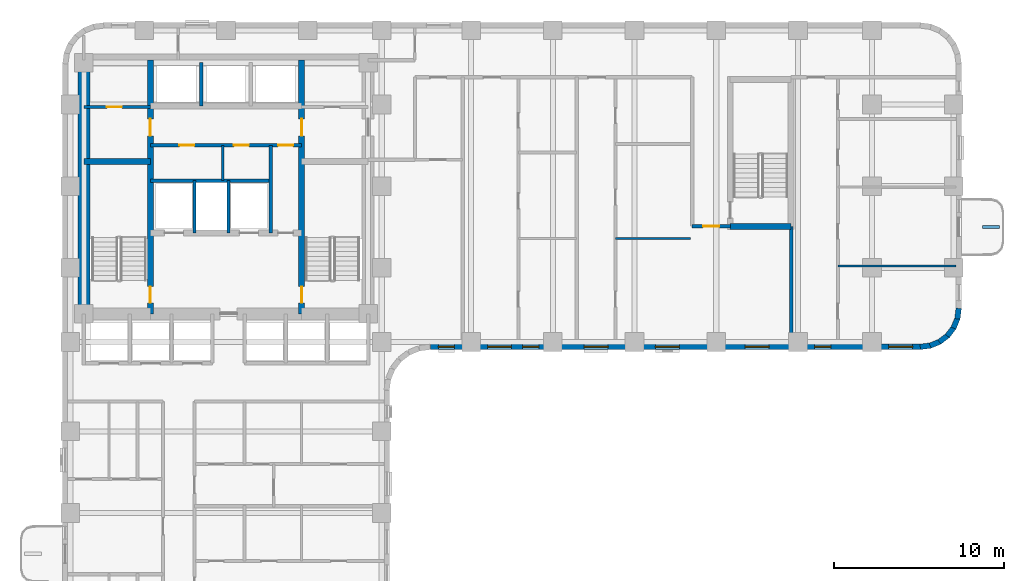
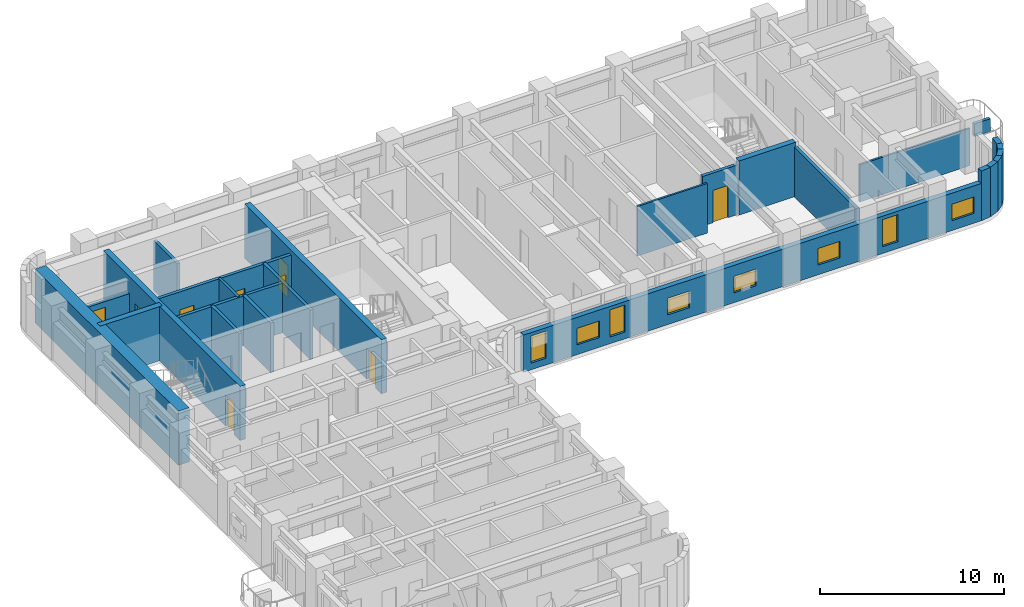
# One storey, part 5 of 11: 25 walls, 9 doors, 8 windows, 17 openings.
"""IFC4 building model written with IfcOpenShell, lengths in metres."""

from ifc_helpers import new_model, si_unit, direction, frame, frame_2d, origin, place, context, subcontext, project, spatial, rectangle, extrude, material, layer, layer_set, type_object, element, fill, save


model = new_model("IFC4")

# Units and contexts
model_context = context("Model", 3, precision=1e-05, world=origin(), true_north=direction((0.0, 1.0)))
body_context = subcontext(model_context, "Body", "Model", "MODEL_VIEW")
ifc_project = project(units=[si_unit("LENGTHUNIT", "METRE"), si_unit("AREAUNIT", "SQUARE_METRE"), si_unit("VOLUMEUNIT", "CUBIC_METRE"), si_unit("PLANEANGLEUNIT", "RADIAN"), si_unit("MASSUNIT", "GRAM", prefix="KILO")], contexts=[model_context])

# Site, building, storey
site_placement = place(None, origin())
site = spatial("IfcSite", under=ifc_project, at=site_placement, CompositionType="ELEMENT")
building_placement = place(site_placement, origin())
building = spatial("IfcBuilding", under=site, at=building_placement, Name="Orvandelia Arch Residences", CompositionType="ELEMENT")
storey_placement = place(building_placement, frame((0.0, 0.0, 93.39990234375)))
storey = spatial("IfcBuildingStorey", under=building, at=storey_placement, Name="L24", CompositionType="ELEMENT", Elevation=93.39990234375)

# Wall, openings, doors
ifc_material_1 = material(Name="Concrete C50/60", Category="concrete")
ifc_layer_1 = layer(ifc_material_1, 0.35009765625, Name="Concrete C50/60", Category="concrete")
ifc_layer_set_1 = layer_set([ifc_layer_1], Name="Concrete C50/60")
wall_type_1 = type_object("IfcWallType", Name="WL-CORE-350", PredefinedType="SHEAR", material=ifc_layer_set_1)
wall_1_placement = place(storey_placement, frame((9.9599609375, 30.89990234375, 0.0), z_axis=(0.0, 0.0, 1.0), x_axis=(0.0, 1.0, 0.0)))
wall_1 = element("IfcWall", 1, at=wall_1_placement, inside=storey, type_object=wall_type_1, Name="Core Shear Wall L24-WEB1", PredefinedType="SHEAR", context=body_context, shape_type="SweptSolid", body=[
    extrude(rectangle(XDim=14.900146484375, YDim=0.35009765625, at=frame_2d((7.4501953125, 0.0))), origin(), (0.0, 0.0, 1.0), 3.60009765625),
])
opening_1_placement = place(wall_1_placement, frame((0.64990234375, 0.0, 0.0)))
opening_1 = element("IfcOpeningElement", 2, at=opening_1_placement, cuts=wall_1, Name="Opening D7", PredefinedType="OPENING", context=body_context, shape_type="SweptSolid", body=[
    extrude(rectangle(XDim=0.949951171875, YDim=2.10009765625, at=frame_2d((0.47509765625, 1.050048828125))), frame((0.0, 0.18505859375, 0.0), z_axis=(0.0, -1.0, 0.0), x_axis=(1.0, 0.0, 0.0)), (0.0, 0.0, 1.0), 0.3701171875),
])
opening_2_placement = place(wall_1_placement, frame((10.449951171875, 0.0, 0.0)))
opening_2 = element("IfcOpeningElement", 3, at=opening_2_placement, cuts=wall_1, Name="Opening D6", PredefinedType="OPENING", context=body_context, shape_type="SweptSolid", body=[
    extrude(rectangle(XDim=1.0, YDim=2.14990234375, at=frame_2d((0.5, 1.074951171875))), frame((0.0, 0.18505859375, 0.0), z_axis=(0.0, -1.0, 0.0), x_axis=(1.0, 0.0, 0.0)), (0.0, 0.0, 1.0), 0.3701171875),
])
ifc_material_2 = material(Name="Smokeproof Painted Steel Fire Door", Category="steel")
door_type_1 = type_object("IfcDoorType", Name="DR-FD60-1000", OperationType="NOTDEFINED", PredefinedType="DOOR", material=ifc_material_2)
door_1_placement = place(opening_2_placement, origin())
door_1 = element("IfcDoor", 4, at=door_1_placement, inside=storey, type_object=door_type_1, Name="High-Rise Lift Hall West Vestibule Door L24", OperationType="SINGLE_SWING_LEFT", OverallHeight=2.14990234375, OverallWidth=1.0, PredefinedType="DOOR", context=body_context, shape_type="SweptSolid", body=[
    extrude(rectangle(XDim=1.0, YDim=2.14990234375, at=frame_2d((0.5, 1.074951171875))), frame((0.0, 0.02490234375, 0.0), z_axis=(0.0, -1.0, 0.0), x_axis=(1.0, 0.0, 0.0)), (0.0, 0.0, 1.0), 0.050048828125),
])
fill(opening_2, door_1)
ifc_material_3 = material(Name="Pressurised Stairwell Fire Door")
door_type_2 = type_object("IfcDoorType", Name="DR-STAIR-950", OperationType="NOTDEFINED", PredefinedType="DOOR", material=ifc_material_3)
door_2_placement = place(opening_1_placement, origin())
door_2 = element("IfcDoor", 5, at=door_2_placement, inside=storey, type_object=door_type_2, Name="Stairwell ST-1 Fire Door L24", OperationType="SINGLE_SWING_LEFT", OverallHeight=2.10009765625, OverallWidth=0.949951171875, PredefinedType="DOOR", context=body_context, shape_type="SweptSolid", body=[
    extrude(rectangle(XDim=0.949951171875, YDim=2.10009765625, at=frame_2d((0.47509765625, 1.050048828125))), frame((0.0, 0.02490234375, 0.0), z_axis=(0.0, -1.0, 0.0), x_axis=(1.0, 0.0, 0.0)), (0.0, 0.0, 1.0), 0.050048828125),
])
fill(opening_1, door_2)

wall_2_placement = place(storey_placement, frame((18.840087890625, 30.89990234375, 0.0), z_axis=(0.0, 0.0, 1.0), x_axis=(0.0, 1.0, 0.0)))
wall_2 = element("IfcWall", 6, at=wall_2_placement, inside=storey, type_object=wall_type_1, Name="Core Shear Wall L24-WEB2", PredefinedType="SHEAR", context=body_context, shape_type="SweptSolid", body=[
    extrude(rectangle(XDim=14.900146484375, YDim=0.35009765625, at=frame_2d((7.4501953125, 0.0))), origin(), (0.0, 0.0, 1.0), 3.60009765625),
])
opening_3_placement = place(wall_2_placement, frame((0.64990234375, 0.0, 0.0)))
opening_3 = element("IfcOpeningElement", 7, at=opening_3_placement, cuts=wall_2, Name="Opening D7", PredefinedType="OPENING", context=body_context, shape_type="SweptSolid", body=[
    extrude(rectangle(XDim=0.949951171875, YDim=2.10009765625, at=frame_2d((0.47509765625, 1.050048828125))), frame((0.0, 0.18505859375, 0.0), z_axis=(0.0, -1.0, 0.0), x_axis=(1.0, 0.0, 0.0)), (0.0, 0.0, 1.0), 0.3701171875),
])
opening_4_placement = place(wall_2_placement, frame((10.449951171875, 0.0, 0.0)))
opening_4 = element("IfcOpeningElement", 8, at=opening_4_placement, cuts=wall_2, Name="Opening D6", PredefinedType="OPENING", context=body_context, shape_type="SweptSolid", body=[
    extrude(rectangle(XDim=1.0, YDim=2.14990234375, at=frame_2d((0.5, 1.074951171875))), frame((0.0, 0.18505859375, 0.0), z_axis=(0.0, -1.0, 0.0), x_axis=(1.0, 0.0, 0.0)), (0.0, 0.0, 1.0), 0.3701171875),
])
door_3_placement = place(opening_4_placement, origin())
door_3 = element("IfcDoor", 9, at=door_3_placement, inside=storey, type_object=door_type_1, Name="High-Rise Lift Hall East Vestibule Door L24", OperationType="SINGLE_SWING_RIGHT", OverallHeight=2.14990234375, OverallWidth=1.0, PredefinedType="DOOR", context=body_context, shape_type="SweptSolid", body=[
    extrude(rectangle(XDim=1.0, YDim=2.14990234375, at=frame_2d((0.5, 1.074951171875))), frame((0.0, 0.02490234375, 0.0), z_axis=(0.0, -1.0, 0.0), x_axis=(1.0, 0.0, 0.0)), (0.0, 0.0, 1.0), 0.050048828125),
])
fill(opening_4, door_3)
door_4_placement = place(opening_3_placement, origin())
door_4 = element("IfcDoor", 10, at=door_4_placement, inside=storey, type_object=door_type_2, Name="Stairwell ST-2 Fire Door L24", OperationType="SINGLE_SWING_RIGHT", OverallHeight=2.10009765625, OverallWidth=0.949951171875, PredefinedType="DOOR", context=body_context, shape_type="SweptSolid", body=[
    extrude(rectangle(XDim=0.949951171875, YDim=2.10009765625, at=frame_2d((0.47509765625, 1.050048828125))), frame((0.0, 0.02490234375, 0.0), z_axis=(0.0, -1.0, 0.0), x_axis=(1.0, 0.0, 0.0)), (0.0, 0.0, 1.0), 0.050048828125),
])
fill(opening_3, door_4)

# Walls
wall_3_placement = place(storey_placement, frame((6.050048828125, 39.85009765625, 0.0), z_axis=(0.0, 0.0, 1.0), x_axis=(1.0, 0.0, 0.0)))
element("IfcWall", 11, at=wall_3_placement, inside=storey, type_object=wall_type_1, Name="Core Shear Wall L24-HZ1", PredefinedType="SHEAR", context=body_context, shape_type="SweptSolid", body=[
    extrude(rectangle(XDim=3.909912109375, YDim=0.35009765625, at=frame_2d((1.955078125, 0.0))), origin(), (0.0, 0.0, 1.0), 3.60009765625),
])
wall_4_placement = place(storey_placement, frame((44.02001953125, 36.0400390625, 0.0), z_axis=(0.0, 0.0, 1.0), x_axis=(1.0, 0.0, 0.0)))
element("IfcWall", 12, at=wall_4_placement, inside=storey, type_object=wall_type_1, Name="East Stair Core Shear Wall L24-S", PredefinedType="SHEAR", context=body_context, shape_type="SweptSolid", body=[
    extrude(rectangle(XDim=3.580078125, YDim=0.35009765625, at=frame_2d((1.7900390625, 0.0))), origin(), (0.0, 0.0, 1.0), 3.60009765625),
])
ifc_material_4 = material(Name="Concrete C80/95", Category="concrete")
ifc_layer_2 = layer(ifc_material_4, 0.699951171875, Name="Concrete C80/95", Category="concrete")
ifc_layer_set_2 = layer_set([ifc_layer_2], Name="Concrete C80/95")
wall_type_2 = type_object("IfcWallType", Name="WL-CORE-700", PredefinedType="SHEAR", material=ifc_layer_set_2)
wall_5_placement = place(storey_placement, frame((6.050048828125, 30.550048828125, 0.0), z_axis=(0.0, 0.0, 1.0), x_axis=(0.0, 1.0, 0.0)))
element("IfcWall", 13, at=wall_5_placement, inside=storey, type_object=wall_type_2, Name="Core Shear Wall L24-W", PredefinedType="SHEAR", context=body_context, shape_type="SweptSolid", body=[
    extrude(rectangle(XDim=15.599853515625, YDim=0.699951171875, at=frame_2d((7.7998046875, 0.0))), origin(), (0.0, 0.0, 1.0), 3.60009765625),
])

# Wall, opening, door
ifc_material_5 = material(Name="Fire-Rated Corridor Partition")
ifc_layer_3 = layer(ifc_material_5, 0.199951171875, Name="Fire-Rated Corridor Partition")
ifc_layer_set_3 = layer_set([ifc_layer_3], Name="Fire-Rated Corridor Partition")
wall_type_3 = type_object("IfcWallType", Name="WL-CORR-200", PredefinedType="PARTITIONING", material=ifc_layer_set_3)
wall_6_placement = place(storey_placement, frame((41.780029296875, 36.050048828125, 0.0), z_axis=(0.0, 0.0, 1.0), x_axis=(1.0, 0.0, 0.0)))
wall_6 = element("IfcWall", 14, at=wall_6_placement, inside=storey, type_object=wall_type_3, Name="Interior Partition Wall WL-L24-EN2-SS", PredefinedType="PARTITIONING", context=body_context, shape_type="SweptSolid", body=[
    extrude(rectangle(XDim=2.239990234375, YDim=0.199951171875, at=frame_2d((1.1201171875, 0.0))), origin(), (0.0, 0.0, 1.0), 3.300048828125),
])
opening_5_placement = place(wall_6_placement, frame((0.64990234375, 0.0, 0.0)))
opening_5 = element("IfcOpeningElement", 15, at=opening_5_placement, cuts=wall_6, Name="Opening D2", PredefinedType="OPENING", context=body_context, shape_type="SweptSolid", body=[
    extrude(rectangle(XDim=0.949951171875, YDim=2.14990234375, at=frame_2d((0.47509765625, 1.074951171875))), frame((0.0, 0.10986328125, 0.0), z_axis=(0.0, -1.0, 0.0), x_axis=(1.0, 0.0, 0.0)), (0.0, 0.0, 1.0), 0.219970703125),
])
ifc_material_6 = material(Name="Solid-Core Timber Interior Fire Door", Category="wood")
door_type_3 = type_object("IfcDoorType", Name="DR-APT-950", OperationType="NOTDEFINED", PredefinedType="DOOR", material=ifc_material_6)
door_5_placement = place(opening_5_placement, origin())
door_5 = element("IfcDoor", 16, at=door_5_placement, inside=storey, type_object=door_type_3, Name="DR-L24-EN2SLN", OperationType="SINGLE_SWING_LEFT", OverallHeight=2.14990234375, OverallWidth=0.949951171875, PredefinedType="DOOR", context=body_context, shape_type="SweptSolid", body=[
    extrude(rectangle(XDim=0.949951171875, YDim=2.14990234375, at=frame_2d((0.47509765625, 1.074951171875))), frame((0.0, 0.02490234375, 0.0), z_axis=(0.0, -1.0, 0.0), x_axis=(1.0, 0.0, 0.0)), (0.0, 0.0, 1.0), 0.050048828125),
])
fill(opening_5, door_5)

# Walls
ifc_material_7 = material(Name="Concrete C40/50", Category="concrete")
ifc_layer_4 = layer(ifc_material_7, 0.199951171875, Name="Concrete C40/50", Category="concrete")
ifc_layer_set_4 = layer_set([ifc_layer_4], Name="Concrete C40/50")
wall_type_4 = type_object("IfcWallType", Name="WL-DEM-200", PredefinedType="SOLIDWALL", material=ifc_layer_set_4)
wall_7_placement = place(storey_placement, frame((47.60009765625, 29.1201171875, 0.0), z_axis=(0.0, 0.0, 1.0), x_axis=(0.0, 1.0, 0.0)))
element("IfcWall", 17, at=wall_7_placement, inside=storey, type_object=wall_type_4, Name="Interior Partition Wall WL-L24-EN2-SLE", PredefinedType="SOLIDWALL", context=body_context, shape_type="SweptSolid", body=[
    extrude(rectangle(XDim=6.919921875, YDim=0.199951171875, at=frame_2d((3.4599609375, 0.0))), origin(), (0.0, 0.0, 1.0), 3.300048828125),
])
ifc_material_8 = material(Name="Precast concrete C40/50", Category="concrete")
ifc_layer_5 = layer(ifc_material_8, 0.320068359375, Name="Precast concrete C40/50", Category="concrete")
ifc_layer_set_5 = layer_set([ifc_layer_5], Name="Precast concrete C40/50")
wall_type_5 = type_object("IfcWallType", Name="WL-EXT-STONE-320", PredefinedType="STANDARD", material=ifc_layer_set_5)
wall_8_placement = place(storey_placement, frame((57.44140625, 31.220947265625, 0.0), z_axis=(0.0, 0.0, 1.0), x_axis=(-0.130504898859, -0.991447664465, 0.0)))
element("IfcWall", 18, at=wall_8_placement, inside=storey, type_object=wall_type_5, Name="Coral-Limestone Precast Facade Wall L24-015", PredefinedType="STANDARD", context=body_context, shape_type="SweptSolid", body=[
    extrude(rectangle(XDim=0.626708984375, YDim=0.320068359375, at=frame_2d((0.3134765625, 0.0))), origin(), (0.0, 0.0, 1.0), 3.300048828125),
])
wall_9_placement = place(storey_placement, frame((57.370361328125, 30.639892578125, 0.0), z_axis=(0.0, 0.0, 1.0), x_axis=(-0.382787856107, -0.923836271867, 0.0)))
element("IfcWall", 19, at=wall_9_placement, inside=storey, type_object=wall_type_5, Name="Coral-Limestone Precast Facade Wall L24-016", PredefinedType="STANDARD", context=body_context, shape_type="SweptSolid", body=[
    extrude(rectangle(XDim=0.626220703125, YDim=0.320068359375, at=frame_2d((0.31298828125, 0.0))), origin(), (0.0, 0.0, 1.0), 3.300048828125),
])
wall_10_placement = place(storey_placement, frame((57.151611328125, 30.097412109375, 0.0), z_axis=(0.0, 0.0, 1.0), x_axis=(-0.608693302629, -0.793405610854, 0.0)))
element("IfcWall", 20, at=wall_10_placement, inside=storey, type_object=wall_type_5, Name="Coral-Limestone Precast Facade Wall L24-017", PredefinedType="STANDARD", context=body_context, shape_type="SweptSolid", body=[
    extrude(rectangle(XDim=0.62646484375, YDim=0.320068359375, at=frame_2d((0.313232421875, 0.0))), origin(), (0.0, 0.0, 1.0), 3.300048828125),
])
wall_11_placement = place(storey_placement, frame((56.7998046875, 29.6298828125, 0.0), z_axis=(0.0, 0.0, 1.0), x_axis=(-0.793361818833, -0.608750379399, 0.0)))
element("IfcWall", 21, at=wall_11_placement, inside=storey, type_object=wall_type_5, Name="Coral-Limestone Precast Facade Wall L24-018", PredefinedType="STANDARD", context=body_context, shape_type="SweptSolid", body=[
    extrude(rectangle(XDim=0.626953125, YDim=0.320068359375, at=frame_2d((0.3134765625, 0.0))), origin(), (0.0, 0.0, 1.0), 3.300048828125),
])
for number, where, z_axis, x_axis, name in (
    (22, (56.3388671875, 29.269287109375, 0.0), (0.0, 0.0, 1.0), (-0.92389335771, -0.382650053678, 0.0), "Coral-Limestone Precast Facade Wall L24-019"),
    (23, (55.80029296875, 29.040283203125, 0.0), (0.0, 0.0, 1.0), (-0.9914410257, -0.130555323746, 0.0), "Coral-Limestone Precast Facade Wall L24-020"),
):
    element("IfcWall", number, at=place(storey_placement, frame(where, z_axis=z_axis, x_axis=x_axis)), inside=storey, type_object=wall_type_5, Name=name, PredefinedType="STANDARD", context=body_context, shape_type="SweptSolid", body=[
        extrude(rectangle(XDim=0.62646484375, YDim=0.320068359375, at=frame_2d((0.313232421875, 0.0))), origin(), (0.0, 0.0, 1.0), 3.300048828125),
    ])

# Wall, openings, windows
wall_12_placement = place(storey_placement, frame((55.199951171875, 28.9599609375, 0.0), z_axis=(0.0, 0.0, 1.0), x_axis=(-1.0, 0.0, 0.0)))
wall_12 = element("IfcWall", 24, at=wall_12_placement, inside=storey, type_object=wall_type_5, Name="Coral-Limestone Precast Facade Wall L24-021", PredefinedType="STANDARD", context=body_context, shape_type="SweptSolid", body=[
    extrude(rectangle(XDim=28.800048828125, YDim=0.320068359375, at=frame_2d((14.39990234375, 0.0))), origin(), (0.0, 0.0, 1.0), 2.47998046875),
])
opening_6_placement = place(wall_12_placement, frame((22.424560546875, 0.0, 0.449951171875)))
opening_6 = element("IfcOpeningElement", 25, at=opening_6_placement, cuts=wall_12, Name="Opening W4", PredefinedType="OPENING", context=body_context, shape_type="SweptSolid", body=[
    extrude(rectangle(XDim=0.949951171875, YDim=1.800048828125, at=frame_2d((0.47509765625, 0.89990234375))), frame((0.0, 0.169921875, 0.0), z_axis=(0.0, -1.0, 0.0), x_axis=(1.0, 0.0, 0.0)), (0.0, 0.0, 1.0), 0.340087890625),
])
opening_7_placement = place(wall_12_placement, frame((14.175048828125, 0.0, 0.64990234375)))
opening_7 = element("IfcOpeningElement", 26, at=opening_7_placement, cuts=wall_12, Name="Opening W10", PredefinedType="OPENING", context=body_context, shape_type="SweptSolid", body=[
    extrude(rectangle(XDim=1.39990234375, YDim=1.10009765625, at=frame_2d((0.699951171875, 0.550048828125))), frame((0.0, 0.169921875, 0.0), z_axis=(0.0, -1.0, 0.0), x_axis=(1.0, 0.0, 0.0)), (0.0, 0.0, 1.0), 0.340087890625),
])
opening_8_placement = place(wall_12_placement, frame((0.469970703125, 0.0, 0.64990234375)))
opening_8 = element("IfcOpeningElement", 27, at=opening_8_placement, cuts=wall_12, Name="Opening W10", PredefinedType="OPENING", context=body_context, shape_type="SweptSolid", body=[
    extrude(rectangle(XDim=1.39990234375, YDim=1.10009765625, at=frame_2d((0.699951171875, 0.550048828125))), frame((0.0, 0.169921875, 0.0), z_axis=(0.0, -1.0, 0.0), x_axis=(1.0, 0.0, 0.0)), (0.0, 0.0, 1.0), 0.340087890625),
])
opening_9_placement = place(wall_12_placement, frame((5.2705078125, 0.0, 0.449951171875)))
opening_9 = element("IfcOpeningElement", 28, at=opening_9_placement, cuts=wall_12, Name="Opening W4", PredefinedType="OPENING", context=body_context, shape_type="SweptSolid", body=[
    extrude(rectangle(XDim=0.949951171875, YDim=1.800048828125, at=frame_2d((0.47509765625, 0.89990234375))), frame((0.0, 0.169921875, 0.0), z_axis=(0.0, -1.0, 0.0), x_axis=(1.0, 0.0, 0.0)), (0.0, 0.0, 1.0), 0.340087890625),
])
opening_10_placement = place(wall_12_placement, frame((27.3798828125, 0.0, 0.449951171875)))
opening_10 = element("IfcOpeningElement", 29, at=opening_10_placement, cuts=wall_12, Name="Opening W4", PredefinedType="OPENING", context=body_context, shape_type="SweptSolid", body=[
    extrude(rectangle(XDim=0.949951171875, YDim=1.800048828125, at=frame_2d((0.47509765625, 0.89990234375))), frame((0.0, 0.169921875, 0.0), z_axis=(0.0, -1.0, 0.0), x_axis=(1.0, 0.0, 0.0)), (0.0, 0.0, 1.0), 0.340087890625),
])
opening_11_placement = place(wall_12_placement, frame((8.89990234375, 0.0, 0.64990234375)))
opening_11 = element("IfcOpeningElement", 30, at=opening_11_placement, cuts=wall_12, Name="Opening W10", PredefinedType="OPENING", context=body_context, shape_type="SweptSolid", body=[
    extrude(rectangle(XDim=1.39990234375, YDim=1.10009765625, at=frame_2d((0.699951171875, 0.550048828125))), frame((0.0, 0.169921875, 0.0), z_axis=(0.0, -1.0, 0.0), x_axis=(1.0, 0.0, 0.0)), (0.0, 0.0, 1.0), 0.340087890625),
])
opening_12_placement = place(wall_12_placement, frame((24.029541015625, 0.0, 0.64990234375)))
opening_12 = element("IfcOpeningElement", 31, at=opening_12_placement, cuts=wall_12, Name="Opening W10", PredefinedType="OPENING", context=body_context, shape_type="SweptSolid", body=[
    extrude(rectangle(XDim=1.39990234375, YDim=1.10009765625, at=frame_2d((0.699951171875, 0.550048828125))), frame((0.0, 0.169921875, 0.0), z_axis=(0.0, -1.0, 0.0), x_axis=(1.0, 0.0, 0.0)), (0.0, 0.0, 1.0), 0.340087890625),
])
opening_13_placement = place(wall_12_placement, frame((18.360107421875, 0.0, 0.64990234375)))
opening_13 = element("IfcOpeningElement", 32, at=opening_13_placement, cuts=wall_12, Name="Opening W10", PredefinedType="OPENING", context=body_context, shape_type="SweptSolid", body=[
    extrude(rectangle(XDim=1.39990234375, YDim=1.10009765625, at=frame_2d((0.699951171875, 0.550048828125))), frame((0.0, 0.169921875, 0.0), z_axis=(0.0, -1.0, 0.0), x_axis=(1.0, 0.0, 0.0)), (0.0, 0.0, 1.0), 0.340087890625),
])
ifc_material_9 = material(Name="Tempered Low-E Insulated Glazing", Category="glass")
window_type_1 = type_object("IfcWindowType", Name="WIN-CLR-1400x1100", PartitioningType="SINGLE_PANEL", PredefinedType="WINDOW", material=ifc_material_9)
window_1_placement = place(opening_7_placement, origin())
window_1 = element("IfcWindow", 33, at=window_1_placement, inside=storey, type_object=window_type_1, Name="Recessed Punched Window L24-009", OverallHeight=1.10009765625, OverallWidth=1.39990234375, PartitioningType="SINGLE_PANEL", PredefinedType="WINDOW", context=body_context, shape_type="SweptSolid", body=[
    extrude(rectangle(XDim=1.39990234375, YDim=1.10009765625, at=frame_2d((0.699951171875, 0.550048828125))), frame((0.0, 0.030029296875, 0.0), z_axis=(0.0, -1.0, 0.0), x_axis=(1.0, 0.0, 0.0)), (0.0, 0.0, 1.0), 0.06005859375),
])
fill(opening_7, window_1)
window_2_placement = place(opening_8_placement, origin())
window_2 = element("IfcWindow", 34, at=window_2_placement, inside=storey, type_object=window_type_1, Name="Recessed Punched Window L24-010", OverallHeight=1.10009765625, OverallWidth=1.39990234375, PartitioningType="SINGLE_PANEL", PredefinedType="WINDOW", context=body_context, shape_type="SweptSolid", body=[
    extrude(rectangle(XDim=1.39990234375, YDim=1.10009765625, at=frame_2d((0.699951171875, 0.550048828125))), frame((0.0, 0.030029296875, 0.0), z_axis=(0.0, -1.0, 0.0), x_axis=(1.0, 0.0, 0.0)), (0.0, 0.0, 1.0), 0.06005859375),
])
fill(opening_8, window_2)
window_3_placement = place(opening_11_placement, origin())
window_3 = element("IfcWindow", 35, at=window_3_placement, inside=storey, type_object=window_type_1, Name="Recessed Punched Window L24-013", OverallHeight=1.10009765625, OverallWidth=1.39990234375, PartitioningType="SINGLE_PANEL", PredefinedType="WINDOW", context=body_context, shape_type="SweptSolid", body=[
    extrude(rectangle(XDim=1.39990234375, YDim=1.10009765625, at=frame_2d((0.699951171875, 0.550048828125))), frame((0.0, 0.030029296875, 0.0), z_axis=(0.0, -1.0, 0.0), x_axis=(1.0, 0.0, 0.0)), (0.0, 0.0, 1.0), 0.06005859375),
])
fill(opening_11, window_3)
window_4_placement = place(opening_12_placement, origin())
window_4 = element("IfcWindow", 36, at=window_4_placement, inside=storey, type_object=window_type_1, Name="Recessed Punched Window L24-014", OverallHeight=1.10009765625, OverallWidth=1.39990234375, PartitioningType="SINGLE_PANEL", PredefinedType="WINDOW", context=body_context, shape_type="SweptSolid", body=[
    extrude(rectangle(XDim=1.39990234375, YDim=1.10009765625, at=frame_2d((0.699951171875, 0.550048828125))), frame((0.0, 0.030029296875, 0.0), z_axis=(0.0, -1.0, 0.0), x_axis=(1.0, 0.0, 0.0)), (0.0, 0.0, 1.0), 0.06005859375),
])
fill(opening_12, window_4)
window_5_placement = place(opening_13_placement, origin())
window_5 = element("IfcWindow", 37, at=window_5_placement, inside=storey, type_object=window_type_1, Name="Recessed Punched Window L24-015", OverallHeight=1.10009765625, OverallWidth=1.39990234375, PartitioningType="SINGLE_PANEL", PredefinedType="WINDOW", context=body_context, shape_type="SweptSolid", body=[
    extrude(rectangle(XDim=1.39990234375, YDim=1.10009765625, at=frame_2d((0.699951171875, 0.550048828125))), frame((0.0, 0.030029296875, 0.0), z_axis=(0.0, -1.0, 0.0), x_axis=(1.0, 0.0, 0.0)), (0.0, 0.0, 1.0), 0.06005859375),
])
fill(opening_13, window_5)
window_type_2 = type_object("IfcWindowType", Name="WIN-RES-0950x1800", PartitioningType="SINGLE_PANEL", PredefinedType="WINDOW", material=ifc_material_9)
window_6_placement = place(opening_6_placement, origin())
window_6 = element("IfcWindow", 38, at=window_6_placement, inside=storey, type_object=window_type_2, Name="Recessed Punched Window L24-008", OverallHeight=1.800048828125, OverallWidth=0.949951171875, PartitioningType="SINGLE_PANEL", PredefinedType="WINDOW", context=body_context, shape_type="SweptSolid", body=[
    extrude(rectangle(XDim=0.949951171875, YDim=1.800048828125, at=frame_2d((0.47509765625, 0.89990234375))), frame((0.0, 0.030029296875, 0.0), z_axis=(0.0, -1.0, 0.0), x_axis=(1.0, 0.0, 0.0)), (0.0, 0.0, 1.0), 0.06005859375),
])
fill(opening_6, window_6)
window_7_placement = place(opening_9_placement, origin())
window_7 = element("IfcWindow", 39, at=window_7_placement, inside=storey, type_object=window_type_2, Name="Recessed Punched Window L24-011", OverallHeight=1.800048828125, OverallWidth=0.949951171875, PartitioningType="SINGLE_PANEL", PredefinedType="WINDOW", context=body_context, shape_type="SweptSolid", body=[
    extrude(rectangle(XDim=0.949951171875, YDim=1.800048828125, at=frame_2d((0.47509765625, 0.89990234375))), frame((0.0, 0.030029296875, 0.0), z_axis=(0.0, -1.0, 0.0), x_axis=(1.0, 0.0, 0.0)), (0.0, 0.0, 1.0), 0.06005859375),
])
fill(opening_9, window_7)
window_8_placement = place(opening_10_placement, origin())
window_8 = element("IfcWindow", 40, at=window_8_placement, inside=storey, type_object=window_type_2, Name="Recessed Punched Window L24-012", OverallHeight=1.800048828125, OverallWidth=0.949951171875, PartitioningType="SINGLE_PANEL", PredefinedType="WINDOW", context=body_context, shape_type="SweptSolid", body=[
    extrude(rectangle(XDim=0.949951171875, YDim=1.800048828125, at=frame_2d((0.47509765625, 0.89990234375))), frame((0.0, 0.030029296875, 0.0), z_axis=(0.0, -1.0, 0.0), x_axis=(1.0, 0.0, 0.0)), (0.0, 0.0, 1.0), 0.06005859375),
])
fill(opening_10, window_8)

# Walls
ifc_material_10 = material(Name="Lightweight Gypsum Stud Partition")
ifc_layer_6 = layer(ifc_material_10, 0.1201171875, Name="Lightweight Gypsum Stud Partition")
ifc_layer_set_6 = layer_set([ifc_layer_6], Name="Lightweight Gypsum Stud Partition")
wall_type_6 = type_object("IfcWallType", Name="WL-PART-120", PredefinedType="PARTITIONING", material=ifc_layer_set_6)
wall_13_placement = place(storey_placement, frame((37.280029296875, 35.31591796875, 0.0), z_axis=(0.0, 0.0, 1.0), x_axis=(1.0, 0.0, 0.0)))
element("IfcWall", 41, at=wall_13_placement, inside=storey, type_object=wall_type_6, Name="Interior Partition Wall WL-L24-U07-H1", PredefinedType="PARTITIONING", context=body_context, shape_type="SweptSolid", body=[
    extrude(rectangle(XDim=4.39990234375, YDim=0.1201171875, at=frame_2d((2.199951171875, 0.0))), origin(), (0.0, 0.0, 1.0), 3.300048828125),
])
wall_14_placement = place(storey_placement, frame((50.339111328125, 33.7109375, 0.0), z_axis=(0.0, 0.0, 1.0), x_axis=(1.0, 0.0, 0.0)))
element("IfcWall", 42, at=wall_14_placement, inside=storey, type_object=wall_type_6, Name="Interior Partition Wall WL-L24-U08-H0", PredefinedType="PARTITIONING", context=body_context, shape_type="SweptSolid", body=[
    extrude(rectangle(XDim=6.94091796875, YDim=0.1201171875, at=frame_2d((3.470458984375, 0.0))), origin(), (0.0, 0.0, 1.0), 2.47998046875),
])
ifc_material_11 = material(Name="Acoustic Gypsum Stud Partition")
ifc_layer_7 = layer(ifc_material_11, 0.14990234375, Name="Acoustic Gypsum Stud Partition")
ifc_layer_set_7 = layer_set([ifc_layer_7], Name="Acoustic Gypsum Stud Partition")
wall_type_7 = type_object("IfcWallType", Name="WL-PART-150", PredefinedType="PARTITIONING", material=ifc_layer_set_7)
wall_15_placement = place(storey_placement, frame((14.199951171875, 38.719970703125, 0.0), z_axis=(0.0, 0.0, 1.0), x_axis=(0.0, 1.0, 0.0)))
element("IfcWall", 43, at=wall_15_placement, inside=storey, type_object=wall_type_7, Name="Interior Partition Wall WL-L24-CSA-1", PredefinedType="PARTITIONING", context=body_context, shape_type="SweptSolid", body=[
    extrude(rectangle(XDim=2.080078125, YDim=0.14990234375, at=frame_2d((1.0400390625, 0.0))), origin(), (0.0, 0.0, 1.0), 3.300048828125),
])
ifc_layer_8 = layer(ifc_material_8, 0.199951171875, Name="Precast concrete C40/50", Category="concrete")
ifc_layer_set_8 = layer_set([ifc_layer_8], Name="Precast concrete C40/50")
wall_type_8 = type_object("IfcWallType", Name="WL-PLANTER-200", PredefinedType="MOVABLE", material=ifc_layer_set_8)
wall_16_placement = place(storey_placement, frame((58.85009765625, 36.0, 0.0), z_axis=(0.0, 0.0, 1.0), x_axis=(1.0, 0.0, 0.0)))
element("IfcWall", 44, at=wall_16_placement, inside=storey, type_object=wall_type_8, Name="Balcony Precast Tree Planter BAL-L24-E1", PredefinedType="MOVABLE", context=body_context, shape_type="SweptSolid", body=[
    extrude(rectangle(XDim=1.0, YDim=0.199951171875, at=frame_2d((0.5, 0.0))), origin(), (0.0, 0.0, 1.0), 0.85009765625),
])
ifc_material_12 = material(Name="Fire-Rated Shaft Enclosure Wall")
ifc_layer_9 = layer(ifc_material_12, 0.199951171875, Name="Fire-Rated Shaft Enclosure Wall")
ifc_layer_set_9 = layer_set([ifc_layer_9], Name="Fire-Rated Shaft Enclosure Wall")
wall_type_9 = type_object("IfcWallType", Name="WL-SHAFT-200", PredefinedType="POLYGONAL", material=ifc_layer_set_9)
wall_17_placement = place(storey_placement, frame((9.9599609375, 38.719970703125, 0.0), z_axis=(0.0, 0.0, 1.0), x_axis=(1.0, 0.0, 0.0)))
element("IfcWall", 45, at=wall_17_placement, inside=storey, type_object=wall_type_9, Name="Interior Partition Wall WL-L24-FLN", PredefinedType="POLYGONAL", context=body_context, shape_type="SweptSolid", body=[
    extrude(rectangle(XDim=7.06005859375, YDim=0.199951171875, at=frame_2d((3.530029296875, 0.0))), origin(), (0.0, 0.0, 1.0), 3.300048828125),
])
for number, where, z_axis, x_axis, name in (
    (46, (12.550048828125, 35.64990234375, 0.0), (0.0, 0.0, 1.0), (0.0, 1.0, 0.0), "Interior Partition Wall WL-L24-FLM1"),
    (47, (14.550048828125, 35.64990234375, 0.0), (0.0, 0.0, 1.0), (0.0, 1.0, 0.0), "Interior Partition Wall WL-L24-FLM2"),
):
    element("IfcWall", number, at=place(storey_placement, frame(where, z_axis=z_axis, x_axis=x_axis)), inside=storey, type_object=wall_type_9, Name=name, PredefinedType="POLYGONAL", context=body_context, shape_type="SweptSolid", body=[
        extrude(rectangle(XDim=3.070068359375, YDim=0.199951171875, at=frame_2d((1.53515625, 0.0))), origin(), (0.0, 0.0, 1.0), 3.300048828125),
    ])
wall_18_placement = place(storey_placement, frame((17.02001953125, 35.64990234375, 0.0), z_axis=(0.0, 0.0, 1.0), x_axis=(0.0, 1.0, 0.0)))
element("IfcWall", 48, at=wall_18_placement, inside=storey, type_object=wall_type_9, Name="Interior Partition Wall WL-L24-FLM3", PredefinedType="POLYGONAL", context=body_context, shape_type="SweptSolid", body=[
    extrude(rectangle(XDim=5.150146484375, YDim=0.199951171875, at=frame_2d((2.5751953125, 0.0))), origin(), (0.0, 0.0, 1.0), 3.300048828125),
])

# Wall, openings, doors
wall_19_placement = place(storey_placement, frame((9.9599609375, 40.800048828125, 0.0), z_axis=(0.0, 0.0, 1.0), x_axis=(1.0, 0.0, 0.0)))
wall_19 = element("IfcWall", 49, at=wall_19_placement, inside=storey, type_object=wall_type_9, Name="Interior Partition Wall WL-L24-HLH-S", PredefinedType="POLYGONAL", context=body_context, shape_type="SweptSolid", body=[
    extrude(rectangle(XDim=8.880126953125, YDim=0.199951171875, at=frame_2d((4.43994140625, 0.0))), origin(), (0.0, 0.0, 1.0), 3.300048828125),
])
opening_14_placement = place(wall_19_placement, frame((7.5, 0.0, 0.0)))
opening_14 = element("IfcOpeningElement", 50, at=opening_14_placement, cuts=wall_19, Name="Opening D5", PredefinedType="OPENING", context=body_context, shape_type="SweptSolid", body=[
    extrude(rectangle(XDim=0.8798828125, YDim=2.10009765625, at=frame_2d((0.43994140625, 1.050048828125))), frame((0.0, 0.10986328125, 0.0), z_axis=(0.0, -1.0, 0.0), x_axis=(1.0, 0.0, 0.0)), (0.0, 0.0, 1.0), 0.219970703125),
])
opening_15_placement = place(wall_19_placement, frame((1.699951171875, 0.0, 0.0)))
opening_15 = element("IfcOpeningElement", 51, at=opening_15_placement, cuts=wall_19, Name="Opening D5", PredefinedType="OPENING", context=body_context, shape_type="SweptSolid", body=[
    extrude(rectangle(XDim=0.8798828125, YDim=2.10009765625, at=frame_2d((0.43994140625, 1.050048828125))), frame((0.0, 0.10986328125, 0.0), z_axis=(0.0, -1.0, 0.0), x_axis=(1.0, 0.0, 0.0)), (0.0, 0.0, 1.0), 0.219970703125),
])
opening_16_placement = place(wall_19_placement, frame((4.89990234375, 0.0, 0.0)))
opening_16 = element("IfcOpeningElement", 52, at=opening_16_placement, cuts=wall_19, Name="Opening D5", PredefinedType="OPENING", context=body_context, shape_type="SweptSolid", body=[
    extrude(rectangle(XDim=0.8798828125, YDim=2.10009765625, at=frame_2d((0.43994140625, 1.050048828125))), frame((0.0, 0.10986328125, 0.0), z_axis=(0.0, -1.0, 0.0), x_axis=(1.0, 0.0, 0.0)), (0.0, 0.0, 1.0), 0.219970703125),
])
ifc_material_13 = material(Name="Painted Galvanised Steel Service Door", Category="steel")
door_type_4 = type_object("IfcDoorType", Name="DR-SRV-880", OperationType="NOTDEFINED", PredefinedType="DOOR", material=ifc_material_13)
door_6_placement = place(opening_14_placement, origin())
door_6 = element("IfcDoor", 53, at=door_6_placement, inside=storey, type_object=door_type_4, Name="Core Stairway Passage North Fire Door L24", OperationType="SINGLE_SWING_RIGHT", OverallHeight=2.10009765625, OverallWidth=0.8798828125, PredefinedType="DOOR", context=body_context, shape_type="SweptSolid", body=[
    extrude(rectangle(XDim=0.8798828125, YDim=2.10009765625, at=frame_2d((0.43994140625, 1.050048828125))), frame((0.0, 0.02490234375, 0.0), z_axis=(0.0, -1.0, 0.0), x_axis=(1.0, 0.0, 0.0)), (0.0, 0.0, 1.0), 0.050048828125),
])
fill(opening_14, door_6)
door_7_placement = place(opening_15_placement, origin())
door_7 = element("IfcDoor", 54, at=door_7_placement, inside=storey, type_object=door_type_4, Name="DR-L24-CSA1", OperationType="SINGLE_SWING_LEFT", OverallHeight=2.10009765625, OverallWidth=0.8798828125, PredefinedType="DOOR", context=body_context, shape_type="SweptSolid", body=[
    extrude(rectangle(XDim=0.8798828125, YDim=2.10009765625, at=frame_2d((0.43994140625, 1.050048828125))), frame((0.0, 0.02490234375, 0.0), z_axis=(0.0, -1.0, 0.0), x_axis=(1.0, 0.0, 0.0)), (0.0, 0.0, 1.0), 0.050048828125),
])
fill(opening_15, door_7)
door_8_placement = place(opening_16_placement, origin())
door_8 = element("IfcDoor", 55, at=door_8_placement, inside=storey, type_object=door_type_4, Name="DR-L24-CSA2", OperationType="SINGLE_SWING_RIGHT", OverallHeight=2.10009765625, OverallWidth=0.8798828125, PredefinedType="DOOR", context=body_context, shape_type="SweptSolid", body=[
    extrude(rectangle(XDim=0.8798828125, YDim=2.10009765625, at=frame_2d((0.43994140625, 1.050048828125))), frame((0.0, 0.02490234375, 0.0), z_axis=(0.0, -1.0, 0.0), x_axis=(1.0, 0.0, 0.0)), (0.0, 0.0, 1.0), 0.050048828125),
])
fill(opening_16, door_8)

# Wall, opening, door
wall_20_placement = place(storey_placement, frame((6.050048828125, 43.050048828125, 0.0), z_axis=(0.0, 0.0, 1.0), x_axis=(1.0, 0.0, 0.0)))
wall_20 = element("IfcWall", 56, at=wall_20_placement, inside=storey, type_object=wall_type_9, Name="Interior Partition Wall WL-L24-HLW-N", PredefinedType="POLYGONAL", context=body_context, shape_type="SweptSolid", body=[
    extrude(rectangle(XDim=3.909912109375, YDim=0.199951171875, at=frame_2d((1.955078125, 0.0))), origin(), (0.0, 0.0, 1.0), 2.47998046875),
])
opening_17_placement = place(wall_20_placement, frame((1.35009765625, 0.0, 0.0)))
opening_17 = element("IfcOpeningElement", 57, at=opening_17_placement, cuts=wall_20, Name="Opening D5", PredefinedType="OPENING", context=body_context, shape_type="SweptSolid", body=[
    extrude(rectangle(XDim=0.8798828125, YDim=2.10009765625, at=frame_2d((0.43994140625, 1.050048828125))), frame((0.0, 0.10986328125, 0.0), z_axis=(0.0, -1.0, 0.0), x_axis=(1.0, 0.0, 0.0)), (0.0, 0.0, 1.0), 0.219970703125),
])
door_9_placement = place(opening_17_placement, origin())
door_9 = element("IfcDoor", 58, at=door_9_placement, inside=storey, type_object=door_type_4, Name="Riser Service Door L24", OperationType="SINGLE_SWING_RIGHT", OverallHeight=2.10009765625, OverallWidth=0.8798828125, PredefinedType="DOOR", context=body_context, shape_type="SweptSolid", body=[
    extrude(rectangle(XDim=0.8798828125, YDim=2.10009765625, at=frame_2d((0.43994140625, 1.050048828125))), frame((0.0, 0.02490234375, 0.0), z_axis=(0.0, -1.0, 0.0), x_axis=(1.0, 0.0, 0.0)), (0.0, 0.0, 1.0), 0.050048828125),
])
fill(opening_17, door_9)

# Wall
wall_21_placement = place(storey_placement, frame((12.949951171875, 43.10009765625, 0.0), z_axis=(0.0, 0.0, 1.0), x_axis=(0.0, 1.0, 0.0)))
element("IfcWall", 59, at=wall_21_placement, inside=storey, type_object=wall_type_9, Name="Interior Partition Wall WL-L24-PHD1", PredefinedType="POLYGONAL", context=body_context, shape_type="SweptSolid", body=[
    extrude(rectangle(XDim=2.5498046875, YDim=0.199951171875, at=frame_2d((1.27490234375, 0.0))), origin(), (0.0, 0.0, 1.0), 3.300048828125),
])

save(model, "model.ifc")
